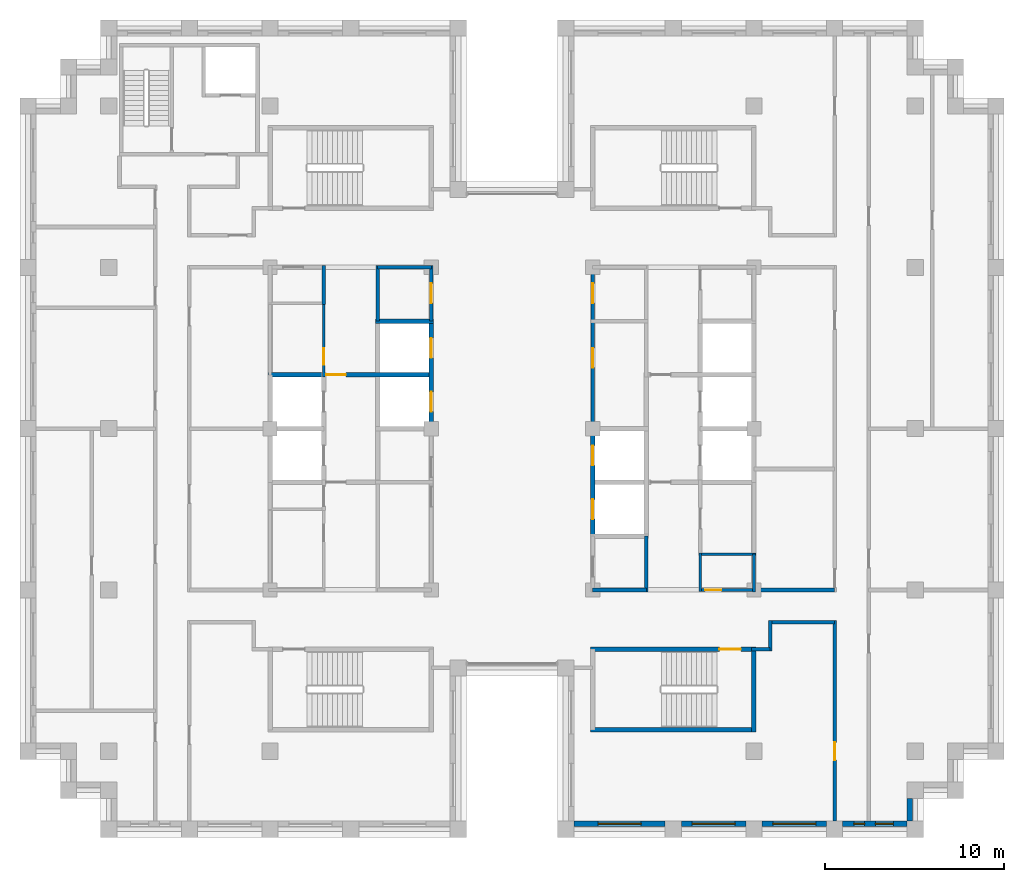
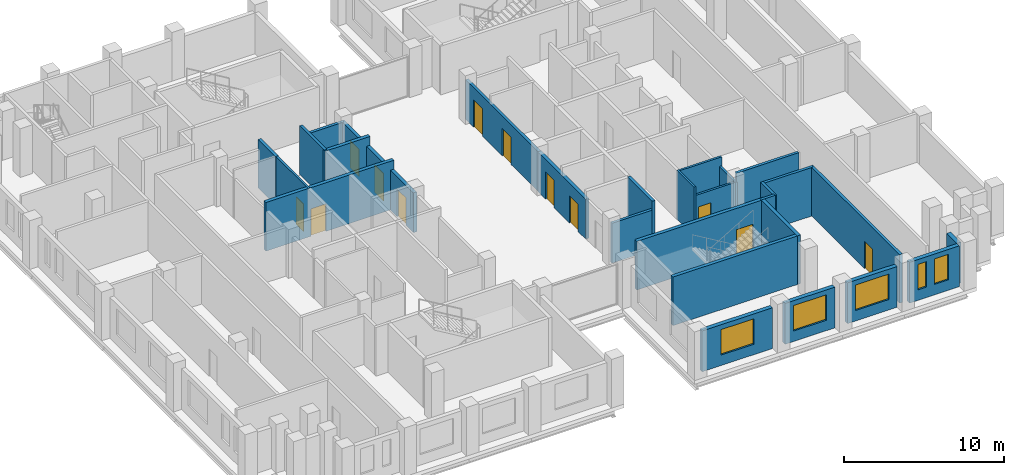
# One storey, part 8 of 13: 29 walls, 12 doors, 5 windows, 17 openings.
"""IFC4 building model written with IfcOpenShell, lengths in metres."""

import ifcopenshell
import ifcopenshell.guid

model = None  # the IFC model being written
_history = None  # IfcOwnerHistory: only IFC2X3 demands one
_inside = {}  # id of a spatial element -> (the spatial element, [elements in it])
_under = {}  # id of a project, library or spatial element -> (it, [spatial elements below it])
_declared = {}  # id of a project -> (the project, [libraries it declares])
_typed = {}  # id of a type object -> (the type object, [elements of that type])
_made_of = {}  # id of a material, layer set ... -> (it, [elements and type objects made of it])


def new_model(schema):
    """Start an empty IFC model of exactly this schema.

    Asked for "IFC4X3", IfcOpenShell would pick the latest addendum, in which some entities
    have other attributes; the version numbers below select the first issue.
    IFC2X3 requires an IfcOwnerHistory on every rooted entity: one is made here for all.
    """
    global model, _history
    if schema == "IFC4X3":
        model = ifcopenshell.file(schema_version=(4, 3, 0, 0))
    else:
        model = ifcopenshell.file(schema=schema)
    _inside.clear()
    _under.clear()
    _declared.clear()
    _typed.clear()
    _made_of.clear()
    _history = None
    if model.schema == "IFC2X3":
        org = make("IfcOrganization", Name="unknown")
        user = make(
            "IfcPersonAndOrganization",
            ThePerson=make("IfcPerson", FamilyName="unknown"),
            TheOrganization=org,
        )
        app = make(
            "IfcApplication",
            ApplicationDeveloper=org,
            Version="unknown",
            ApplicationFullName="unknown",
            ApplicationIdentifier="unknown",
        )
        _history = make(
            "IfcOwnerHistory",
            OwningUser=user,
            OwningApplication=app,
            ChangeAction="ADDED",
            CreationDate=0,
        )
    return model


def make(cls, **values):
    """One entity of the class cls with the attributes given. An attribute that is None is left unset."""
    return model.create_entity(
        cls, **{name: value for name, value in values.items() if value is not None}
    )


def rooted(cls, **values):
    """An entity with a GlobalId (a new one), such as an element, a storey or a relation."""
    return make(cls, GlobalId=ifcopenshell.guid.new(), OwnerHistory=_history, **values)


def si_unit(unit_type, name, prefix=None):
    """IfcSIUnit, for example si_unit("LENGTHUNIT", "METRE", prefix="MILLI")."""
    return make("IfcSIUnit", UnitType=unit_type, Prefix=prefix, Name=name)


def assignment(units):
    """IfcUnitAssignment: the units of a project."""
    return None if units is None else make("IfcUnitAssignment", Units=units)


def point(xyz):
    """IfcCartesianPoint."""
    return None if xyz is None else make("IfcCartesianPoint", Coordinates=xyz)


def direction(xyz):
    """IfcDirection."""
    return None if xyz is None else make("IfcDirection", DirectionRatios=xyz)


def frame(location, z_axis=None, x_axis=None):
    """IfcAxis2Placement3D, a coordinate frame: its origin and axes. An axis left out is left unset."""
    return make(
        "IfcAxis2Placement3D",
        Location=point(location),
        Axis=direction(z_axis),
        RefDirection=direction(x_axis),
    )


def frame_2d(location, x_axis=None):
    """IfcAxis2Placement2D, a coordinate frame in the plane: its origin and x axis."""
    return make(
        "IfcAxis2Placement2D", Location=point(location), RefDirection=direction(x_axis)
    )


def origin():
    """The frame at (0, 0, 0) with its axes left unset."""
    return frame((0.0, 0.0, 0.0))


def place(relative_to, where):
    """IfcLocalPlacement: puts the frame where relative to a parent placement (None: the world)."""
    return make(
        "IfcLocalPlacement", PlacementRelTo=relative_to, RelativePlacement=where
    )


def context(
    kind, dimensions, precision=None, world=None, true_north=None, identifier=None
):
    """IfcGeometricRepresentationContext, for example the 3D "Model" context."""
    return make(
        "IfcGeometricRepresentationContext",
        ContextIdentifier=identifier,
        ContextType=kind,
        CoordinateSpaceDimension=dimensions,
        Precision=precision,
        WorldCoordinateSystem=world,
        TrueNorth=true_north,
    )


def subcontext(parent, identifier, kind, view, scale=None):
    """IfcGeometricRepresentationSubContext, for example "Body" below "Model"."""
    return make(
        "IfcGeometricRepresentationSubContext",
        ContextIdentifier=identifier,
        ContextType=kind,
        ParentContext=parent,
        TargetScale=scale,
        TargetView=view,
    )


def project(units=None, contexts=None):
    """IfcProject with its units and contexts."""
    return rooted(
        "IfcProject",
        Name="project",
        RepresentationContexts=contexts,
        UnitsInContext=assignment(units),
    )


def spatial(cls, under=None, at=None, **own):
    """A site, building, storey or space (cls), placed at a placement, below another one or the project."""
    s = rooted(cls, ObjectPlacement=at, **own)
    if under is not None:
        _under.setdefault(under.id(), (under, []))[1].append(s)
    return s


def profile(cls, at=None, kind="AREA", **sizes):
    """A parametric profile (cls). Its sizes go by their IFC names, for example OverallWidth=200.0."""
    return make(cls, ProfileType=kind, Position=at, **sizes)


def rectangle(**sizes):
    """IfcRectangleProfileDef."""
    return profile("IfcRectangleProfileDef", **sizes)


def extrude(swept, where, along, depth):
    """IfcExtrudedAreaSolid: the profile swept, set in the frame where, extruded along a direction by depth."""
    return make(
        "IfcExtrudedAreaSolid",
        SweptArea=swept,
        Position=where,
        ExtrudedDirection=direction(along),
        Depth=depth,
    )


def shape(context_of_items, identifier, shape_type, items):
    """IfcShapeRepresentation: the items that make up one representation, for example the "Body"."""
    return make(
        "IfcShapeRepresentation",
        ContextOfItems=context_of_items,
        RepresentationIdentifier=identifier,
        RepresentationType=shape_type,
        Items=items,
    )


def material(Name=None, Category=None):
    """IfcMaterial."""
    return make("IfcMaterial", Name=Name, Category=Category)


def layer(
    of_material, thickness, ventilated=None, Name=None, Category=None, Priority=None
):
    """IfcMaterialLayer: one layer of a wall or slab, of a material (None: an air gap)."""
    return make(
        "IfcMaterialLayer",
        Material=of_material,
        LayerThickness=thickness,
        IsVentilated=ventilated,
        Name=Name,
        Category=Category,
        Priority=Priority,
    )


def layer_set(layers, Name=None):
    """IfcMaterialLayerSet."""
    return make("IfcMaterialLayerSet", MaterialLayers=layers, LayerSetName=Name)


def made_of(thing, what):
    """Note that an element or type object is made of a material, layer set ...; save() writes the relation."""
    if what is not None:
        _made_of.setdefault(what.id(), (what, []))[1].append(thing)
    return thing


def type_object(cls, material=None, **own):
    """A type object (cls), such as IfcWallType, which elements share."""
    return made_of(rooted(cls, **own), material)


def element(
    cls,
    number,
    at=None,
    inside=None,
    cuts=None,
    type_object=None,
    material=None,
    context=None,
    identifier="Body",
    shape_type=None,
    held_by="IfcProductDefinitionShape",
    body=None,
    shapes=None,
    **own,
):
    """One element of the class cls, such as IfcWall. Its Tag is "e" and its number.

    at: its placement. inside: the storey or other place that contains it. cuts: it is an
    opening in that element (IfcRelVoidsElement). A single representation is given by context,
    identifier, shape_type and body (its items); several are given by shapes. held_by: the class
    of the entity that holds the representations. save() writes the other relations.
    """
    e = rooted(cls, Tag="e%d" % number, ObjectPlacement=at, **own)
    if body is not None:
        shapes = [shape(context, identifier, shape_type, body)]
    if shapes is not None:
        e.Representation = make(held_by, Representations=shapes)
    if inside is not None:
        _inside.setdefault(inside.id(), (inside, []))[1].append(e)
    if cuts is not None:
        rooted(
            "IfcRelVoidsElement", RelatingBuildingElement=cuts, RelatedOpeningElement=e
        )
    if type_object is not None:
        _typed.setdefault(type_object.id(), (type_object, []))[1].append(e)
    return made_of(e, material)


def fill(opening, filler):
    """IfcRelFillsElement: the door or window that sits in an opening."""
    return rooted(
        "IfcRelFillsElement",
        RelatingOpeningElement=opening,
        RelatedBuildingElement=filler,
    )


def aggregate(whole, parts):
    """IfcRelAggregates: a whole, such as a stair, and the parts it consists of."""
    return rooted("IfcRelAggregates", RelatingObject=whole, RelatedObjects=parts)


def save(model, path):
    """Write the relations noted so far, then the file.

    IfcRelAggregates (storeys below a building ...), IfcRelContainedInSpatialStructure (elements
    in a storey), IfcRelDefinesByType, IfcRelAssociatesMaterial and IfcRelDeclares: one each for
    every whole, place, type object, material and project.
    """
    for whole, parts in _under.values():
        aggregate(whole, parts)
    for where, things in _inside.values():
        rooted(
            "IfcRelContainedInSpatialStructure",
            RelatedElements=things,
            RelatingStructure=where,
        )
    for kind, things in _typed.values():
        rooted("IfcRelDefinesByType", RelatedObjects=things, RelatingType=kind)
    for what, things in _made_of.values():
        rooted("IfcRelAssociatesMaterial", RelatedObjects=things, RelatingMaterial=what)
    for by, libraries in _declared.values():
        rooted("IfcRelDeclares", RelatingContext=by, RelatedDefinitions=libraries)
    model.write(path)


model = new_model("IFC4")

# Units and contexts
model_context = context("Model", 3, precision=1e-05, world=origin(), true_north=direction((0.0, 1.0)))
body_context = subcontext(model_context, "Body", "Model", "MODEL_VIEW")
ifc_project = project(units=[si_unit("LENGTHUNIT", "METRE"), si_unit("AREAUNIT", "SQUARE_METRE"), si_unit("VOLUMEUNIT", "CUBIC_METRE"), si_unit("PLANEANGLEUNIT", "RADIAN"), si_unit("MASSUNIT", "GRAM", prefix="KILO")], contexts=[model_context])

# Site, building, storey
site_placement = place(None, origin())
site = spatial("IfcSite", under=ifc_project, at=site_placement, CompositionType="ELEMENT")
building_placement = place(site_placement, origin())
building = spatial("IfcBuilding", under=site, at=building_placement, Name="Corbelhall Arena Tower", CompositionType="ELEMENT")
storey_placement = place(building_placement, frame((0.0, 0.0, 274.0)))
storey = spatial("IfcBuildingStorey", under=building, at=storey_placement, Name="L59", CompositionType="ELEMENT", Elevation=274.0)

# Wall, opening, window
ifc_material_1 = material(Name="Precast concrete C40/50 with granite facing", Category="masonry")
ifc_layer_1 = layer(ifc_material_1, 0.300048828125)
ifc_layer_set_1 = layer_set([ifc_layer_1], Name="EV-IW1 Infill panel 300")
wall_type_1 = type_object("IfcWallType", Name="EV-IW1 Infill panel 300", PredefinedType="SOLIDWALL", material=ifc_layer_set_1)
wall_1_placement = place(storey_placement, frame((3.449951171875, -22.050048828125, 0.0), z_axis=(0.0, 0.0, 1.0), x_axis=(1.0, 0.0, 0.0)))
wall_1 = element("IfcWall", 1, at=wall_1_placement, inside=storey, type_object=wall_type_1, Name="Infill panel IW1", PredefinedType="SOLIDWALL", context=body_context, shape_type="SweptSolid", body=[
    extrude(rectangle(XDim=5.10009765625, YDim=0.300048828125, at=frame_2d((2.550048828125, 0.0))), origin(), (0.0, 0.0, 1.0), 3.1201171875),
])
opening_1_placement = place(wall_1_placement, frame((1.35009765625, 0.0, 0.800048828125)))
opening_1 = element("IfcOpeningElement", 2, at=opening_1_placement, cuts=wall_1, Name="Opening WN1", PredefinedType="OPENING", context=body_context, shape_type="SweptSolid", body=[
    extrude(rectangle(XDim=2.39990234375, YDim=1.949951171875, at=frame_2d((1.199951171875, 0.97509765625))), frame((0.0, 0.14990234375, 0.0), z_axis=(0.0, -1.0, 0.0), x_axis=(1.0, 0.0, 0.0)), (0.0, 0.0, 1.0), 0.300048828125),
])
ifc_material_2 = material(Name="Aluminium black anodised", Category="aluminium")
window_type_1 = type_object("IfcWindowType", Name="EV-WN1 Office window", PartitioningType="SINGLE_PANEL", PredefinedType="WINDOW", material=ifc_material_2)
window_1_placement = place(opening_1_placement, origin())
window_1 = element("IfcWindow", 3, at=window_1_placement, inside=storey, type_object=window_type_1, Name="Window WN1", OverallHeight=1.949951171875, OverallWidth=2.39990234375, PartitioningType="SINGLE_PANEL", PredefinedType="WINDOW", context=body_context, shape_type="SweptSolid", body=[
    extrude(rectangle(XDim=2.39990234375, YDim=1.949951171875, at=frame_2d((1.199951171875, 0.97509765625))), frame((0.0, 0.030029296875, 0.0), z_axis=(0.0, -1.0, 0.0), x_axis=(1.0, 0.0, 0.0)), (0.0, 0.0, 1.0), 0.06005859375),
])
fill(opening_1, window_1)

wall_2_placement = place(storey_placement, frame((9.449951171875, -22.050048828125, 0.0), z_axis=(0.0, 0.0, 1.0), x_axis=(1.0, 0.0, 0.0)))
wall_2 = element("IfcWall", 4, at=wall_2_placement, inside=storey, type_object=wall_type_1, Name="Infill panel IW1", PredefinedType="SOLIDWALL", context=body_context, shape_type="SweptSolid", body=[
    extrude(rectangle(XDim=3.60009765625, YDim=0.300048828125, at=frame_2d((1.800048828125, 0.0))), origin(), (0.0, 0.0, 1.0), 3.1201171875),
])
opening_2_placement = place(wall_2_placement, frame((0.60009765625, 0.0, 0.800048828125)))
opening_2 = element("IfcOpeningElement", 5, at=opening_2_placement, cuts=wall_2, Name="Opening WN1", PredefinedType="OPENING", context=body_context, shape_type="SweptSolid", body=[
    extrude(rectangle(XDim=2.39990234375, YDim=1.949951171875, at=frame_2d((1.199951171875, 0.97509765625))), frame((0.0, 0.14990234375, 0.0), z_axis=(0.0, -1.0, 0.0), x_axis=(1.0, 0.0, 0.0)), (0.0, 0.0, 1.0), 0.300048828125),
])
window_2_placement = place(opening_2_placement, origin())
window_2 = element("IfcWindow", 6, at=window_2_placement, inside=storey, type_object=window_type_1, Name="Window WN1", OverallHeight=1.949951171875, OverallWidth=2.39990234375, PartitioningType="SINGLE_PANEL", PredefinedType="WINDOW", context=body_context, shape_type="SweptSolid", body=[
    extrude(rectangle(XDim=2.39990234375, YDim=1.949951171875, at=frame_2d((1.199951171875, 0.97509765625))), frame((0.0, 0.030029296875, 0.0), z_axis=(0.0, -1.0, 0.0), x_axis=(1.0, 0.0, 0.0)), (0.0, 0.0, 1.0), 0.06005859375),
])
fill(opening_2, window_2)

wall_3_placement = place(storey_placement, frame((13.949951171875, -22.050048828125, 0.0), z_axis=(0.0, 0.0, 1.0), x_axis=(1.0, 0.0, 0.0)))
wall_3 = element("IfcWall", 7, at=wall_3_placement, inside=storey, type_object=wall_type_1, Name="Infill panel IW1", PredefinedType="SOLIDWALL", context=body_context, shape_type="SweptSolid", body=[
    extrude(rectangle(XDim=3.60009765625, YDim=0.300048828125, at=frame_2d((1.800048828125, 0.0))), origin(), (0.0, 0.0, 1.0), 3.1201171875),
])
opening_3_placement = place(wall_3_placement, frame((0.60009765625, 0.0, 0.800048828125)))
opening_3 = element("IfcOpeningElement", 8, at=opening_3_placement, cuts=wall_3, Name="Opening WN1", PredefinedType="OPENING", context=body_context, shape_type="SweptSolid", body=[
    extrude(rectangle(XDim=2.39990234375, YDim=1.949951171875, at=frame_2d((1.199951171875, 0.97509765625))), frame((0.0, 0.14990234375, 0.0), z_axis=(0.0, -1.0, 0.0), x_axis=(1.0, 0.0, 0.0)), (0.0, 0.0, 1.0), 0.300048828125),
])
window_3_placement = place(opening_3_placement, origin())
window_3 = element("IfcWindow", 9, at=window_3_placement, inside=storey, type_object=window_type_1, Name="Window WN1", OverallHeight=1.949951171875, OverallWidth=2.39990234375, PartitioningType="SINGLE_PANEL", PredefinedType="WINDOW", context=body_context, shape_type="SweptSolid", body=[
    extrude(rectangle(XDim=2.39990234375, YDim=1.949951171875, at=frame_2d((1.199951171875, 0.97509765625))), frame((0.0, 0.030029296875, 0.0), z_axis=(0.0, -1.0, 0.0), x_axis=(1.0, 0.0, 0.0)), (0.0, 0.0, 1.0), 0.06005859375),
])
fill(opening_3, window_3)

# Wall, openings, windows
wall_4_placement = place(storey_placement, frame((18.449951171875, -22.050048828125, 0.0), z_axis=(0.0, 0.0, 1.0), x_axis=(1.0, 0.0, 0.0)))
wall_4 = element("IfcWall", 10, at=wall_4_placement, inside=storey, type_object=wall_type_1, Name="Infill panel IW1", PredefinedType="SOLIDWALL", context=body_context, shape_type="SweptSolid", body=[
    extrude(rectangle(XDim=3.60009765625, YDim=0.300048828125, at=frame_2d((1.800048828125, 0.0))), origin(), (0.0, 0.0, 1.0), 3.1201171875),
])
opening_4_placement = place(wall_4_placement, frame((0.625, 0.0, 0.800048828125)))
opening_4 = element("IfcOpeningElement", 11, at=opening_4_placement, cuts=wall_4, Name="Opening WN5", PredefinedType="OPENING", context=body_context, shape_type="SweptSolid", body=[
    extrude(rectangle(XDim=0.60009765625, YDim=1.949951171875, at=frame_2d((0.300048828125, 0.97509765625))), frame((0.0, 0.14990234375, 0.0), z_axis=(0.0, -1.0, 0.0), x_axis=(1.0, 0.0, 0.0)), (0.0, 0.0, 1.0), 0.300048828125),
])
opening_5_placement = place(wall_4_placement, frame((1.824951171875, 0.0, 0.800048828125)))
opening_5 = element("IfcOpeningElement", 12, at=opening_5_placement, cuts=wall_4, Name="Opening WN6", PredefinedType="OPENING", context=body_context, shape_type="SweptSolid", body=[
    extrude(rectangle(XDim=1.0, YDim=1.949951171875, at=frame_2d((0.5, 0.97509765625))), frame((0.0, 0.14990234375, 0.0), z_axis=(0.0, -1.0, 0.0), x_axis=(1.0, 0.0, 0.0)), (0.0, 0.0, 1.0), 0.300048828125),
])
window_type_2 = type_object("IfcWindowType", Name="EV-WN5 Office window 600", PartitioningType="SINGLE_PANEL", PredefinedType="WINDOW", material=ifc_material_2)
window_4_placement = place(opening_4_placement, origin())
window_4 = element("IfcWindow", 13, at=window_4_placement, inside=storey, type_object=window_type_2, Name="Window WN5", OverallHeight=1.949951171875, OverallWidth=0.60009765625, PartitioningType="SINGLE_PANEL", PredefinedType="WINDOW", context=body_context, shape_type="SweptSolid", body=[
    extrude(rectangle(XDim=0.60009765625, YDim=1.949951171875, at=frame_2d((0.300048828125, 0.97509765625))), frame((0.0, 0.030029296875, 0.0), z_axis=(0.0, -1.0, 0.0), x_axis=(1.0, 0.0, 0.0)), (0.0, 0.0, 1.0), 0.06005859375),
])
fill(opening_4, window_4)
window_type_3 = type_object("IfcWindowType", Name="EV-WN6 Office window 1000", PartitioningType="SINGLE_PANEL", PredefinedType="WINDOW", material=ifc_material_2)
window_5_placement = place(opening_5_placement, origin())
window_5 = element("IfcWindow", 14, at=window_5_placement, inside=storey, type_object=window_type_3, Name="Window WN6", OverallHeight=1.949951171875, OverallWidth=1.0, PartitioningType="SINGLE_PANEL", PredefinedType="WINDOW", context=body_context, shape_type="SweptSolid", body=[
    extrude(rectangle(XDim=1.0, YDim=1.949951171875, at=frame_2d((0.5, 0.97509765625))), frame((0.0, 0.030029296875, 0.0), z_axis=(0.0, -1.0, 0.0), x_axis=(1.0, 0.0, 0.0)), (0.0, 0.0, 1.0), 0.06005859375),
])
fill(opening_5, window_5)

# Walls
wall_5_placement = place(storey_placement, frame((22.199951171875, -21.89990234375, 0.0), z_axis=(0.0, 0.0, 1.0), x_axis=(0.0, 1.0, 0.0)))
element("IfcWall", 15, at=wall_5_placement, inside=storey, type_object=wall_type_1, Name="Infill panel IW1", PredefinedType="SOLIDWALL", context=body_context, shape_type="SweptSolid", body=[
    extrude(rectangle(XDim=1.27490234375, YDim=0.300048828125, at=frame_2d((0.637451171875, 0.0))), origin(), (0.0, 0.0, 1.0), 3.1201171875),
])
ifc_material_3 = material(Name="Gypsum board on steel stud, acoustic", Category="steel")
ifc_layer_2 = layer(ifc_material_3, 0.199951171875)
ifc_layer_set_2 = layer_set([ifc_layer_2], Name="IN-W-DM200")
wall_type_2 = type_object("IfcWallType", Name="IN-W-DM200", PredefinedType="PARTITIONING", material=ifc_layer_set_2)
wall_6_placement = place(storey_placement, frame((13.5, -9.0, 0.0), z_axis=(0.0, 0.0, 1.0), x_axis=(1.0, 0.0, 0.0)))
element("IfcWall", 16, at=wall_6_placement, inside=storey, type_object=wall_type_2, Name="Partition 028", PredefinedType="PARTITIONING", context=body_context, shape_type="SweptSolid", body=[
    extrude(rectangle(XDim=4.5, YDim=0.199951171875, at=frame_2d((2.25, 0.0))), origin(), (0.0, 0.0, 1.0), 3.719970703125),
])
wall_7_placement = place(storey_placement, frame((14.39990234375, -12.300048828125, 0.0), z_axis=(0.0, 0.0, 1.0), x_axis=(-1.0, 0.0, 0.0)))
element("IfcWall", 17, at=wall_7_placement, inside=storey, type_object=wall_type_2, Name="Partition 030", PredefinedType="PARTITIONING", context=body_context, shape_type="SweptSolid", body=[
    extrude(rectangle(XDim=1.02490234375, YDim=0.199951171875, at=frame_2d((0.512451171875, 0.0))), origin(), (0.0, 0.0, 1.0), 3.719970703125),
])
wall_8_placement = place(storey_placement, frame((14.39990234375, -10.699951171875, 0.0), z_axis=(0.0, 0.0, 1.0), x_axis=(0.0, -1.0, 0.0)))
element("IfcWall", 18, at=wall_8_placement, inside=storey, type_object=wall_type_2, Name="Partition 031", PredefinedType="PARTITIONING", context=body_context, shape_type="SweptSolid", body=[
    extrude(rectangle(XDim=1.699951171875, YDim=0.199951171875, at=frame_2d((0.85009765625, 0.0))), origin(), (0.0, 0.0, 1.0), 3.719970703125),
])

# Wall, opening, door
wall_9_placement = place(storey_placement, frame((18.0, -21.89990234375, 0.0), z_axis=(0.0, 0.0, 1.0), x_axis=(0.0, 1.0, 0.0)))
wall_9 = element("IfcWall", 19, at=wall_9_placement, inside=storey, type_object=wall_type_2, Name="Partition 035", PredefinedType="PARTITIONING", context=body_context, shape_type="SweptSolid", body=[
    extrude(rectangle(XDim=11.199951171875, YDim=0.199951171875, at=frame_2d((5.60009765625, 0.0))), origin(), (0.0, 0.0, 1.0), 3.719970703125),
])
opening_6_placement = place(wall_9_placement, frame((3.39990234375, 0.0, 0.0)))
opening_6 = element("IfcOpeningElement", 20, at=opening_6_placement, cuts=wall_9, Name="Opening 18029", PredefinedType="OPENING", context=body_context, shape_type="SweptSolid", body=[
    extrude(rectangle(XDim=1.0, YDim=2.10009765625, at=frame_2d((0.5, 1.050048828125))), frame((0.0, 0.10009765625, 0.0), z_axis=(0.0, -1.0, 0.0), x_axis=(1.0, 0.0, 0.0)), (0.0, 0.0, 1.0), 0.199951171875),
])
ifc_material_4 = material(Name="Steel door set", Category="steel")
door_type_1 = type_object("IfcDoorType", Name="IN-D-SW100", OperationType="NOTDEFINED", PredefinedType="DOOR", material=ifc_material_4)
door_1_placement = place(opening_6_placement, origin())
door_1 = element("IfcDoor", 21, at=door_1_placement, inside=storey, type_object=door_type_1, Name="Door 029", OperationType="SINGLE_SWING_RIGHT", OverallHeight=2.10009765625, OverallWidth=1.0, PredefinedType="DOOR", context=body_context, shape_type="SweptSolid", body=[
    extrude(rectangle(XDim=1.0, YDim=2.10009765625, at=frame_2d((0.5, 1.050048828125))), frame((0.0, 0.02490234375, 0.0), z_axis=(0.0, -1.0, 0.0), x_axis=(1.0, 0.0, 0.0)), (0.0, 0.0, 1.0), 0.050048828125),
])
fill(opening_6, door_1)

# Walls
wall_10_placement = place(storey_placement, frame((18.0, -10.800048828125, 0.0), z_axis=(0.0, 0.0, 1.0), x_axis=(-1.0, 0.0, 0.0)))
element("IfcWall", 22, at=wall_10_placement, inside=storey, type_object=wall_type_2, Name="Partition 036", PredefinedType="PARTITIONING", context=body_context, shape_type="SweptSolid", body=[
    extrude(rectangle(XDim=3.60009765625, YDim=0.199951171875, at=frame_2d((1.800048828125, 0.0))), origin(), (0.0, 0.0, 1.0), 3.719970703125),
])
ifc_material_5 = material(Name="Concrete block wall", Category="concrete")
ifc_layer_3 = layer(ifc_material_5, 0.199951171875)
ifc_layer_set_3 = layer_set([ifc_layer_3], Name="IN-W-RS200")
wall_type_3 = type_object("IfcWallType", Name="IN-W-RS200", PredefinedType="SOLIDWALL", material=ifc_layer_set_3)
wall_11_placement = place(storey_placement, frame((-10.5, 6.925048828125, 0.0), z_axis=(0.0, 0.0, 1.0), x_axis=(0.0, 1.0, 0.0)))
element("IfcWall", 23, at=wall_11_placement, inside=storey, type_object=wall_type_3, Name="Partition 047", PredefinedType="SOLIDWALL", context=body_context, shape_type="SweptSolid", body=[
    extrude(rectangle(XDim=2.175048828125, YDim=0.199951171875, at=frame_2d((1.08740234375, 0.0))), origin(), (0.0, 0.0, 1.0), 3.719970703125),
])
for number, where, z_axis, x_axis, name in (
    (24, (-7.5, 6.0, 0.0), (0.0, 0.0, 1.0), (0.0, 1.0, 0.0), "Partition 050"),
    (25, (7.5, -6.0, 0.0), (0.0, 0.0, 1.0), (0.0, -1.0, 0.0), "Partition 060"),
):
    element("IfcWall", number, at=place(storey_placement, frame(where, z_axis=z_axis, x_axis=x_axis)), inside=storey, type_object=wall_type_3, Name=name, PredefinedType="SOLIDWALL", context=body_context, shape_type="SweptSolid", body=[
        extrude(rectangle(XDim=3.10009765625, YDim=0.199951171875, at=frame_2d((1.550048828125, 0.0))), origin(), (0.0, 0.0, 1.0), 3.719970703125),
    ])
ifc_layer_4 = layer(ifc_material_5, 0.199951171875)
ifc_layer_set_4 = layer_set([ifc_layer_4], Name="IN-W-RS200 under beam 678 mm")
wall_type_4 = type_object("IfcWallType", Name="IN-W-RS200 under beam 678 mm", PredefinedType="SOLIDWALL", material=ifc_layer_set_4)
wall_12_placement = place(storey_placement, frame((-7.5, 9.0, 0.0), z_axis=(0.0, 0.0, 1.0), x_axis=(1.0, 0.0, 0.0)))
element("IfcWall", 26, at=wall_12_placement, inside=storey, type_object=wall_type_4, Name="Partition 051", PredefinedType="SOLIDWALL", context=body_context, shape_type="SweptSolid", body=[
    extrude(rectangle(XDim=3.0, YDim=0.199951171875, at=frame_2d((1.5, 0.0))), origin(), (0.0, 0.0, 1.0), 3.041748046875),
])

# Wall, opening, door
wall_13_placement = place(storey_placement, frame((-4.5, 9.10009765625, 0.0), z_axis=(0.0, 0.0, 1.0), x_axis=(0.0, -1.0, 0.0)))
wall_13 = element("IfcWall", 27, at=wall_13_placement, inside=storey, type_object=wall_type_4, Name="Partition 054", PredefinedType="SOLIDWALL", context=body_context, shape_type="SweptSolid", body=[
    extrude(rectangle(XDim=3.10009765625, YDim=0.199951171875, at=frame_2d((1.550048828125, 0.0))), origin(), (0.0, 0.0, 1.0), 3.041748046875),
])
opening_7_placement = place(wall_13_placement, frame((1.0, 0.0, 0.0)))
opening_7 = element("IfcOpeningElement", 28, at=opening_7_placement, cuts=wall_13, Name="Opening 18003", PredefinedType="OPENING", context=body_context, shape_type="SweptSolid", body=[
    extrude(rectangle(XDim=1.10009765625, YDim=2.10009765625, at=frame_2d((0.550048828125, 1.050048828125))), frame((0.0, 0.10009765625, 0.0), z_axis=(0.0, -1.0, 0.0), x_axis=(1.0, 0.0, 0.0)), (0.0, 0.0, 1.0), 0.199951171875),
])
door_type_2 = type_object("IfcDoorType", Name="IN-D-FD110", OperationType="NOTDEFINED", PredefinedType="DOOR", material=ifc_material_4)
door_2_placement = place(opening_7_placement, origin())
door_2 = element("IfcDoor", 29, at=door_2_placement, inside=storey, type_object=door_type_2, Name="Door 003", OperationType="SINGLE_SWING_RIGHT", OverallHeight=2.10009765625, OverallWidth=1.10009765625, PredefinedType="DOOR", context=body_context, shape_type="SweptSolid", body=[
    extrude(rectangle(XDim=1.10009765625, YDim=2.10009765625, at=frame_2d((0.550048828125, 1.050048828125))), frame((0.0, 0.02490234375, 0.0), z_axis=(0.0, -1.0, 0.0), x_axis=(1.0, 0.0, 0.0)), (0.0, 0.0, 1.0), 0.050048828125),
])
fill(opening_7, door_2)

# Wall, openings, doors
wall_14_placement = place(storey_placement, frame((4.5, 0.0, 0.0), z_axis=(0.0, 0.0, 1.0), x_axis=(0.0, 1.0, 0.0)))
wall_14 = element("IfcWall", 30, at=wall_14_placement, inside=storey, type_object=wall_type_4, Name="Partition 057", PredefinedType="SOLIDWALL", context=body_context, shape_type="SweptSolid", body=[
    extrude(rectangle(XDim=9.10009765625, YDim=0.199951171875, at=frame_2d((4.550048828125, 0.0))), origin(), (0.0, 0.0, 1.0), 3.041748046875),
])
opening_8_placement = place(wall_14_placement, frame((3.39990234375, 0.0, 0.0)))
opening_8 = element("IfcOpeningElement", 31, at=opening_8_placement, cuts=wall_14, Name="Opening 18011", PredefinedType="OPENING", context=body_context, shape_type="SweptSolid", body=[
    extrude(rectangle(XDim=1.10009765625, YDim=2.10009765625, at=frame_2d((0.550048828125, 1.050048828125))), frame((0.0, 0.10009765625, 0.0), z_axis=(0.0, -1.0, 0.0), x_axis=(1.0, 0.0, 0.0)), (0.0, 0.0, 1.0), 0.199951171875),
])
opening_9_placement = place(wall_14_placement, frame((7.0, 0.0, 0.0)))
opening_9 = element("IfcOpeningElement", 32, at=opening_9_placement, cuts=wall_14, Name="Opening 18012", PredefinedType="OPENING", context=body_context, shape_type="SweptSolid", body=[
    extrude(rectangle(XDim=1.10009765625, YDim=2.10009765625, at=frame_2d((0.550048828125, 1.050048828125))), frame((0.0, 0.10009765625, 0.0), z_axis=(0.0, -1.0, 0.0), x_axis=(1.0, 0.0, 0.0)), (0.0, 0.0, 1.0), 0.199951171875),
])
door_3_placement = place(opening_8_placement, origin())
door_3 = element("IfcDoor", 33, at=door_3_placement, inside=storey, type_object=door_type_2, Name="Door 011", OperationType="SINGLE_SWING_RIGHT", OverallHeight=2.10009765625, OverallWidth=1.10009765625, PredefinedType="DOOR", context=body_context, shape_type="SweptSolid", body=[
    extrude(rectangle(XDim=1.10009765625, YDim=2.10009765625, at=frame_2d((0.550048828125, 1.050048828125))), frame((0.0, 0.02490234375, 0.0), z_axis=(0.0, -1.0, 0.0), x_axis=(1.0, 0.0, 0.0)), (0.0, 0.0, 1.0), 0.050048828125),
])
fill(opening_8, door_3)
door_4_placement = place(opening_9_placement, origin())
door_4 = element("IfcDoor", 34, at=door_4_placement, inside=storey, type_object=door_type_2, Name="Door 012", OperationType="SINGLE_SWING_LEFT", OverallHeight=2.10009765625, OverallWidth=1.10009765625, PredefinedType="DOOR", context=body_context, shape_type="SweptSolid", body=[
    extrude(rectangle(XDim=1.10009765625, YDim=2.10009765625, at=frame_2d((0.550048828125, 1.050048828125))), frame((0.0, 0.02490234375, 0.0), z_axis=(0.0, -1.0, 0.0), x_axis=(1.0, 0.0, 0.0)), (0.0, 0.0, 1.0), 0.050048828125),
])
fill(opening_9, door_4)

# Wall
wall_15_placement = place(storey_placement, frame((7.5, -9.0, 0.0), z_axis=(0.0, 0.0, 1.0), x_axis=(-1.0, 0.0, 0.0)))
element("IfcWall", 35, at=wall_15_placement, inside=storey, type_object=wall_type_4, Name="Partition 059", PredefinedType="SOLIDWALL", context=body_context, shape_type="SweptSolid", body=[
    extrude(rectangle(XDim=3.0, YDim=0.199951171875, at=frame_2d((1.5, 0.0))), origin(), (0.0, 0.0, 1.0), 3.041748046875),
])

# Wall, opening, door
ifc_material_6 = material(Name="Concrete C40/50", Category="concrete")
ifc_layer_5 = layer(ifc_material_6, 0.25)
ifc_layer_set_5 = layer_set([ifc_layer_5], Name="IN-W-SH250")
wall_type_5 = type_object("IfcWallType", Name="IN-W-SH250", PredefinedType="SOLIDWALL", material=ifc_layer_set_5)
wall_16_placement = place(storey_placement, frame((-13.625, 3.0, 0.0), z_axis=(0.0, 0.0, 1.0), x_axis=(1.0, 0.0, 0.0)))
wall_16 = element("IfcWall", 36, at=wall_16_placement, inside=storey, type_object=wall_type_5, Name="Shaft wall 068", PredefinedType="SOLIDWALL", context=body_context, shape_type="SweptSolid", body=[
    extrude(rectangle(XDim=9.25, YDim=0.25, at=frame_2d((4.625, 0.0))), origin(), (0.0, 0.0, 1.0), 3.719970703125),
])
opening_10_placement = place(wall_16_placement, frame((3.25, 0.0, 0.0)))
opening_10 = element("IfcOpeningElement", 37, at=opening_10_placement, cuts=wall_16, Name="Opening 18005", PredefinedType="OPENING", context=body_context, shape_type="SweptSolid", body=[
    extrude(rectangle(XDim=1.10009765625, YDim=2.10009765625, at=frame_2d((0.550048828125, 1.050048828125))), frame((0.0, 0.125, 0.0), z_axis=(0.0, -1.0, 0.0), x_axis=(1.0, 0.0, 0.0)), (0.0, 0.0, 1.0), 0.25),
])
door_5_placement = place(opening_10_placement, origin())
door_5 = element("IfcDoor", 38, at=door_5_placement, inside=storey, type_object=door_type_2, Name="Door 005", OperationType="SINGLE_SWING_RIGHT", OverallHeight=2.10009765625, OverallWidth=1.10009765625, PredefinedType="DOOR", context=body_context, shape_type="SweptSolid", body=[
    extrude(rectangle(XDim=1.10009765625, YDim=2.10009765625, at=frame_2d((0.550048828125, 1.050048828125))), frame((0.0, 0.02490234375, 0.0), z_axis=(0.0, -1.0, 0.0), x_axis=(1.0, 0.0, 0.0)), (0.0, 0.0, 1.0), 0.050048828125),
])
fill(opening_10, door_5)

# Wall
wall_17_placement = place(storey_placement, frame((-7.625, 6.0, 0.0), z_axis=(0.0, 0.0, 1.0), x_axis=(1.0, 0.0, 0.0)))
element("IfcWall", 39, at=wall_17_placement, inside=storey, type_object=wall_type_5, Name="Shaft wall 073", PredefinedType="SOLIDWALL", context=body_context, shape_type="SweptSolid", body=[
    extrude(rectangle(XDim=3.25, YDim=0.25, at=frame_2d((1.625, 0.0))), origin(), (0.0, 0.0, 1.0), 3.719970703125),
])

# Wall, openings, doors
ifc_layer_6 = layer(ifc_material_6, 0.25)
ifc_layer_set_6 = layer_set([ifc_layer_6], Name="IN-W-SH250 under beam 678 mm")
wall_type_6 = type_object("IfcWallType", Name="IN-W-SH250 under beam 678 mm", PredefinedType="SOLIDWALL", material=ifc_layer_set_6)
wall_18_placement = place(storey_placement, frame((-4.5, 6.0, 0.0), z_axis=(0.0, 0.0, 1.0), x_axis=(0.0, -1.0, 0.0)))
wall_18 = element("IfcWall", 40, at=wall_18_placement, inside=storey, type_object=wall_type_6, Name="Shaft wall 075", PredefinedType="SOLIDWALL", context=body_context, shape_type="SweptSolid", body=[
    extrude(rectangle(XDim=6.0, YDim=0.25, at=frame_2d((3.0, 0.0))), origin(), (0.0, 0.0, 1.0), 3.041748046875),
])
opening_11_placement = place(wall_18_placement, frame((3.949951171875, 0.0, 0.0)))
opening_11 = element("IfcOpeningElement", 41, at=opening_11_placement, cuts=wall_18, Name="Opening LD", PredefinedType="OPENING", context=body_context, shape_type="SweptSolid", body=[
    extrude(rectangle(XDim=1.10009765625, YDim=2.10009765625, at=frame_2d((0.550048828125, 1.050048828125))), frame((0.0, 0.125, 0.0), z_axis=(0.0, -1.0, 0.0), x_axis=(1.0, 0.0, 0.0)), (0.0, 0.0, 1.0), 0.25),
])
opening_12_placement = place(wall_18_placement, frame((0.949951171875, 0.0, 0.0)))
opening_12 = element("IfcOpeningElement", 42, at=opening_12_placement, cuts=wall_18, Name="Opening LD", PredefinedType="OPENING", context=body_context, shape_type="SweptSolid", body=[
    extrude(rectangle(XDim=1.10009765625, YDim=2.10009765625, at=frame_2d((0.550048828125, 1.050048828125))), frame((0.0, 0.125, 0.0), z_axis=(0.0, -1.0, 0.0), x_axis=(1.0, 0.0, 0.0)), (0.0, 0.0, 1.0), 0.25),
])
door_type_3 = type_object("IfcDoorType", Name="IN-D-LD110", OperationType="NOTDEFINED", PredefinedType="DOOR", material=ifc_material_4)
door_6_placement = place(opening_11_placement, origin())
door_6 = element("IfcDoor", 43, at=door_6_placement, inside=storey, type_object=door_type_3, Name="Landing door W4", OperationType="SLIDING_TO_LEFT", OverallHeight=2.10009765625, OverallWidth=1.10009765625, PredefinedType="DOOR", context=body_context, shape_type="SweptSolid", body=[
    extrude(rectangle(XDim=1.10009765625, YDim=2.10009765625, at=frame_2d((0.550048828125, 1.050048828125))), frame((0.0, 0.02490234375, 0.0), z_axis=(0.0, -1.0, 0.0), x_axis=(1.0, 0.0, 0.0)), (0.0, 0.0, 1.0), 0.050048828125),
])
fill(opening_11, door_6)
door_7_placement = place(opening_12_placement, origin())
door_7 = element("IfcDoor", 44, at=door_7_placement, inside=storey, type_object=door_type_3, Name="Landing door W5", OperationType="SLIDING_TO_LEFT", OverallHeight=2.10009765625, OverallWidth=1.10009765625, PredefinedType="DOOR", context=body_context, shape_type="SweptSolid", body=[
    extrude(rectangle(XDim=1.10009765625, YDim=2.10009765625, at=frame_2d((0.550048828125, 1.050048828125))), frame((0.0, 0.02490234375, 0.0), z_axis=(0.0, -1.0, 0.0), x_axis=(1.0, 0.0, 0.0)), (0.0, 0.0, 1.0), 0.050048828125),
])
fill(opening_12, door_7)

wall_19_placement = place(storey_placement, frame((4.5, -6.0, 0.0), z_axis=(0.0, 0.0, 1.0), x_axis=(0.0, 1.0, 0.0)))
wall_19 = element("IfcWall", 45, at=wall_19_placement, inside=storey, type_object=wall_type_6, Name="Shaft wall 079", PredefinedType="SOLIDWALL", context=body_context, shape_type="SweptSolid", body=[
    extrude(rectangle(XDim=6.0, YDim=0.25, at=frame_2d((3.0, 0.0))), origin(), (0.0, 0.0, 1.0), 3.041748046875),
])
opening_13_placement = place(wall_19_placement, frame((0.949951171875, 0.0, 0.0)))
opening_13 = element("IfcOpeningElement", 46, at=opening_13_placement, cuts=wall_19, Name="Opening LD", PredefinedType="OPENING", context=body_context, shape_type="SweptSolid", body=[
    extrude(rectangle(XDim=1.10009765625, YDim=2.10009765625, at=frame_2d((0.550048828125, 1.050048828125))), frame((0.0, 0.125, 0.0), z_axis=(0.0, -1.0, 0.0), x_axis=(1.0, 0.0, 0.0)), (0.0, 0.0, 1.0), 0.25),
])
opening_14_placement = place(wall_19_placement, frame((3.949951171875, 0.0, 0.0)))
opening_14 = element("IfcOpeningElement", 47, at=opening_14_placement, cuts=wall_19, Name="Opening LD", PredefinedType="OPENING", context=body_context, shape_type="SweptSolid", body=[
    extrude(rectangle(XDim=1.10009765625, YDim=2.10009765625, at=frame_2d((0.550048828125, 1.050048828125))), frame((0.0, 0.125, 0.0), z_axis=(0.0, -1.0, 0.0), x_axis=(1.0, 0.0, 0.0)), (0.0, 0.0, 1.0), 0.25),
])
door_8_placement = place(opening_13_placement, origin())
door_8 = element("IfcDoor", 48, at=door_8_placement, inside=storey, type_object=door_type_3, Name="Landing door E2", OperationType="SLIDING_TO_LEFT", OverallHeight=2.10009765625, OverallWidth=1.10009765625, PredefinedType="DOOR", context=body_context, shape_type="SweptSolid", body=[
    extrude(rectangle(XDim=1.10009765625, YDim=2.10009765625, at=frame_2d((0.550048828125, 1.050048828125))), frame((0.0, 0.02490234375, 0.0), z_axis=(0.0, -1.0, 0.0), x_axis=(1.0, 0.0, 0.0)), (0.0, 0.0, 1.0), 0.050048828125),
])
fill(opening_13, door_8)
door_9_placement = place(opening_14_placement, origin())
door_9 = element("IfcDoor", 49, at=door_9_placement, inside=storey, type_object=door_type_3, Name="Landing door E3", OperationType="SLIDING_TO_LEFT", OverallHeight=2.10009765625, OverallWidth=1.10009765625, PredefinedType="DOOR", context=body_context, shape_type="SweptSolid", body=[
    extrude(rectangle(XDim=1.10009765625, YDim=2.10009765625, at=frame_2d((0.550048828125, 1.050048828125))), frame((0.0, 0.02490234375, 0.0), z_axis=(0.0, -1.0, 0.0), x_axis=(1.0, 0.0, 0.0)), (0.0, 0.0, 1.0), 0.050048828125),
])
fill(opening_14, door_9)

# Walls
ifc_layer_7 = layer(ifc_material_6, 0.25)
ifc_layer_set_7 = layer_set([ifc_layer_7], Name="IN-W-ST250")
wall_type_7 = type_object("IfcWallType", Name="IN-W-ST250", PredefinedType="SOLIDWALL", material=ifc_layer_set_7)
wall_20_placement = place(storey_placement, frame((13.5, -16.800048828125, 0.0), z_axis=(0.0, 0.0, 1.0), x_axis=(-1.0, 0.0, 0.0)))
element("IfcWall", 50, at=wall_20_placement, inside=storey, type_object=wall_type_7, Name="Shaft wall 098", PredefinedType="SOLIDWALL", context=body_context, shape_type="SweptSolid", body=[
    extrude(rectangle(XDim=9.125, YDim=0.25, at=frame_2d((4.5625, 0.0))), origin(), (0.0, 0.0, 1.0), 3.719970703125),
])
wall_21_placement = place(storey_placement, frame((13.5, -12.300048828125, 0.0), z_axis=(0.0, 0.0, 1.0), x_axis=(0.0, -1.0, 0.0)))
element("IfcWall", 51, at=wall_21_placement, inside=storey, type_object=wall_type_7, Name="Shaft wall 099", PredefinedType="SOLIDWALL", context=body_context, shape_type="SweptSolid", body=[
    extrude(rectangle(XDim=4.625, YDim=0.25, at=frame_2d((2.3125, 0.0))), origin(), (0.0, 0.0, 1.0), 3.719970703125),
])

# Wall, opening, door
wall_22_placement = place(storey_placement, frame((13.625, -12.300048828125, 0.0), z_axis=(0.0, 0.0, 1.0), x_axis=(-1.0, 0.0, 0.0)))
wall_22 = element("IfcWall", 52, at=wall_22_placement, inside=storey, type_object=wall_type_7, Name="Shaft wall 101", PredefinedType="SOLIDWALL", context=body_context, shape_type="SweptSolid", body=[
    extrude(rectangle(XDim=9.25, YDim=0.25, at=frame_2d((4.625, 0.0))), origin(), (0.0, 0.0, 1.0), 3.719970703125),
])
opening_15_placement = place(wall_22_placement, frame((0.85009765625, 0.0, 0.0)))
opening_15 = element("IfcOpeningElement", 53, at=opening_15_placement, cuts=wall_22, Name="Opening 18021", PredefinedType="OPENING", context=body_context, shape_type="SweptSolid", body=[
    extrude(rectangle(XDim=1.199951171875, YDim=2.10009765625, at=frame_2d((0.60009765625, 1.050048828125))), frame((0.0, 0.125, 0.0), z_axis=(0.0, -1.0, 0.0), x_axis=(1.0, 0.0, 0.0)), (0.0, 0.0, 1.0), 0.25),
])
door_type_4 = type_object("IfcDoorType", Name="IN-D-ST120", OperationType="NOTDEFINED", PredefinedType="DOOR", material=ifc_material_4)
door_10_placement = place(opening_15_placement, origin())
door_10 = element("IfcDoor", 54, at=door_10_placement, inside=storey, type_object=door_type_4, Name="Door 021", OperationType="SINGLE_SWING_RIGHT", OverallHeight=2.10009765625, OverallWidth=1.199951171875, PredefinedType="DOOR", context=body_context, shape_type="SweptSolid", body=[
    extrude(rectangle(XDim=1.199951171875, YDim=2.10009765625, at=frame_2d((0.60009765625, 1.050048828125))), frame((0.0, 0.02490234375, 0.0), z_axis=(0.0, -1.0, 0.0), x_axis=(1.0, 0.0, 0.0)), (0.0, 0.0, 1.0), 0.050048828125),
])
fill(opening_15, door_10)

ifc_material_7 = material(Name="Gypsum board on steel stud, moisture resistant", Category="steel")
ifc_layer_8 = layer(ifc_material_7, 0.14990234375)
ifc_layer_set_8 = layer_set([ifc_layer_8], Name="IN-W-WC150")
wall_type_8 = type_object("IfcWallType", Name="IN-W-WC150", PredefinedType="PARTITIONING", material=ifc_layer_set_8)
wall_23_placement = place(storey_placement, frame((-10.5, 2.875, 0.0), z_axis=(0.0, 0.0, 1.0), x_axis=(0.0, 1.0, 0.0)))
wall_23 = element("IfcWall", 55, at=wall_23_placement, inside=storey, type_object=wall_type_8, Name="Partition 108", PredefinedType="PARTITIONING", context=body_context, shape_type="SweptSolid", body=[
    extrude(rectangle(XDim=4.199951171875, YDim=0.14990234375, at=frame_2d((2.10009765625, 0.0))), origin(), (0.0, 0.0, 1.0), 3.719970703125),
])
opening_16_placement = place(wall_23_placement, frame((0.699951171875, 0.0, 0.0)))
opening_16 = element("IfcOpeningElement", 56, at=opening_16_placement, cuts=wall_23, Name="Opening 18008", PredefinedType="OPENING", context=body_context, shape_type="SweptSolid", body=[
    extrude(rectangle(XDim=0.89990234375, YDim=2.10009765625, at=frame_2d((0.449951171875, 1.050048828125))), frame((0.0, 0.074951171875, 0.0), z_axis=(0.0, -1.0, 0.0), x_axis=(1.0, 0.0, 0.0)), (0.0, 0.0, 1.0), 0.14990234375),
])
ifc_material_8 = material(Name="Timber door set", Category="wood")
door_type_5 = type_object("IfcDoorType", Name="IN-D-SW90", OperationType="NOTDEFINED", PredefinedType="DOOR", material=ifc_material_8)
door_11_placement = place(opening_16_placement, origin())
door_11 = element("IfcDoor", 57, at=door_11_placement, inside=storey, type_object=door_type_5, Name="Door 008", OperationType="SINGLE_SWING_LEFT", OverallHeight=2.10009765625, OverallWidth=0.89990234375, PredefinedType="DOOR", context=body_context, shape_type="SweptSolid", body=[
    extrude(rectangle(XDim=0.89990234375, YDim=2.10009765625, at=frame_2d((0.449951171875, 1.050048828125))), frame((0.0, 0.02490234375, 0.0), z_axis=(0.0, -1.0, 0.0), x_axis=(1.0, 0.0, 0.0)), (0.0, 0.0, 1.0), 0.050048828125),
])
fill(opening_16, door_11)

# Walls
wall_24_placement = place(storey_placement, frame((10.5, -7.0, 0.0), z_axis=(0.0, 0.0, 1.0), x_axis=(1.0, 0.0, 0.0)))
element("IfcWall", 58, at=wall_24_placement, inside=storey, type_object=wall_type_8, Name="Partition 109", PredefinedType="PARTITIONING", context=body_context, shape_type="SweptSolid", body=[
    extrude(rectangle(XDim=3.10009765625, YDim=0.14990234375, at=frame_2d((1.550048828125, 0.0))), origin(), (0.0, 0.0, 1.0), 3.719970703125),
])
wall_25_placement = place(storey_placement, frame((10.5, -6.925048828125, 0.0), z_axis=(0.0, 0.0, 1.0), x_axis=(0.0, -1.0, 0.0)))
element("IfcWall", 59, at=wall_25_placement, inside=storey, type_object=wall_type_8, Name="Partition 110", PredefinedType="PARTITIONING", context=body_context, shape_type="SweptSolid", body=[
    extrude(rectangle(XDim=2.14990234375, YDim=0.14990234375, at=frame_2d((1.074951171875, 0.0))), origin(), (0.0, 0.0, 1.0), 3.719970703125),
])
ifc_layer_9 = layer(ifc_material_7, 0.14990234375)
ifc_layer_set_9 = layer_set([ifc_layer_9], Name="IN-W-WC150 under beam 678 mm")
wall_type_9 = type_object("IfcWallType", Name="IN-W-WC150 under beam 678 mm", PredefinedType="PARTITIONING", material=ifc_layer_set_9)
wall_26_placement = place(storey_placement, frame((13.5, -7.0, 0.0), z_axis=(0.0, 0.0, 1.0), x_axis=(0.0, -1.0, 0.0)))
element("IfcWall", 60, at=wall_26_placement, inside=storey, type_object=wall_type_9, Name="Partition 111", PredefinedType="PARTITIONING", context=body_context, shape_type="SweptSolid", body=[
    extrude(rectangle(XDim=2.10009765625, YDim=0.14990234375, at=frame_2d((1.050048828125, 0.0))), origin(), (0.0, 0.0, 1.0), 3.041748046875),
])

# Wall, opening, door
wall_27_placement = place(storey_placement, frame((13.574951171875, -9.0, 0.0), z_axis=(0.0, 0.0, 1.0), x_axis=(-1.0, 0.0, 0.0)))
wall_27 = element("IfcWall", 61, at=wall_27_placement, inside=storey, type_object=wall_type_9, Name="Partition 112", PredefinedType="PARTITIONING", context=body_context, shape_type="SweptSolid", body=[
    extrude(rectangle(XDim=3.074951171875, YDim=0.14990234375, at=frame_2d((1.53759765625, 0.0))), origin(), (0.0, 0.0, 1.0), 3.041748046875),
])
opening_17_placement = place(wall_27_placement, frame((1.89990234375, 0.0, 0.0)))
opening_17 = element("IfcOpeningElement", 62, at=opening_17_placement, cuts=wall_27, Name="Opening 18015", PredefinedType="OPENING", context=body_context, shape_type="SweptSolid", body=[
    extrude(rectangle(XDim=0.89990234375, YDim=2.10009765625, at=frame_2d((0.449951171875, 1.050048828125))), frame((0.0, 0.074951171875, 0.0), z_axis=(0.0, -1.0, 0.0), x_axis=(1.0, 0.0, 0.0)), (0.0, 0.0, 1.0), 0.14990234375),
])
door_12_placement = place(opening_17_placement, origin())
door_12 = element("IfcDoor", 63, at=door_12_placement, inside=storey, type_object=door_type_5, Name="Door 015", OperationType="SINGLE_SWING_RIGHT", OverallHeight=2.10009765625, OverallWidth=0.89990234375, PredefinedType="DOOR", context=body_context, shape_type="SweptSolid", body=[
    extrude(rectangle(XDim=0.89990234375, YDim=2.10009765625, at=frame_2d((0.449951171875, 1.050048828125))), frame((0.0, 0.02490234375, 0.0), z_axis=(0.0, -1.0, 0.0), x_axis=(1.0, 0.0, 0.0)), (0.0, 0.0, 1.0), 0.050048828125),
])
fill(opening_17, door_12)

save(model, "model.ifc")
